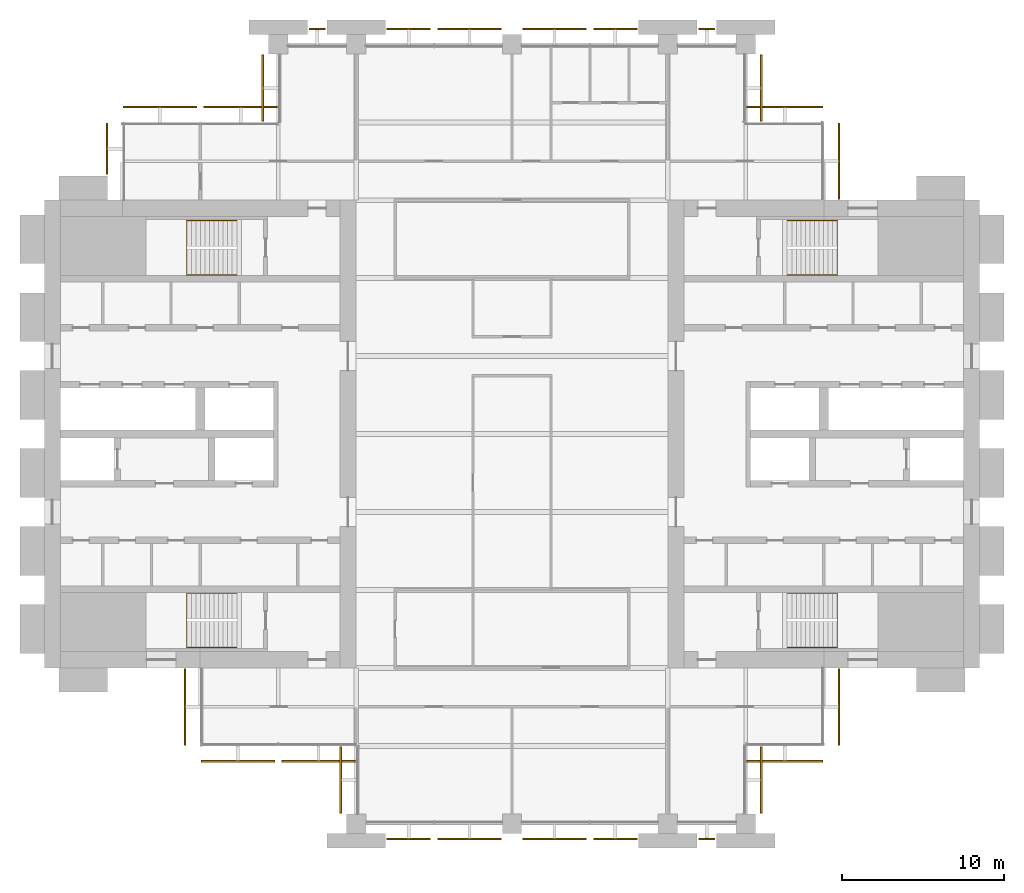
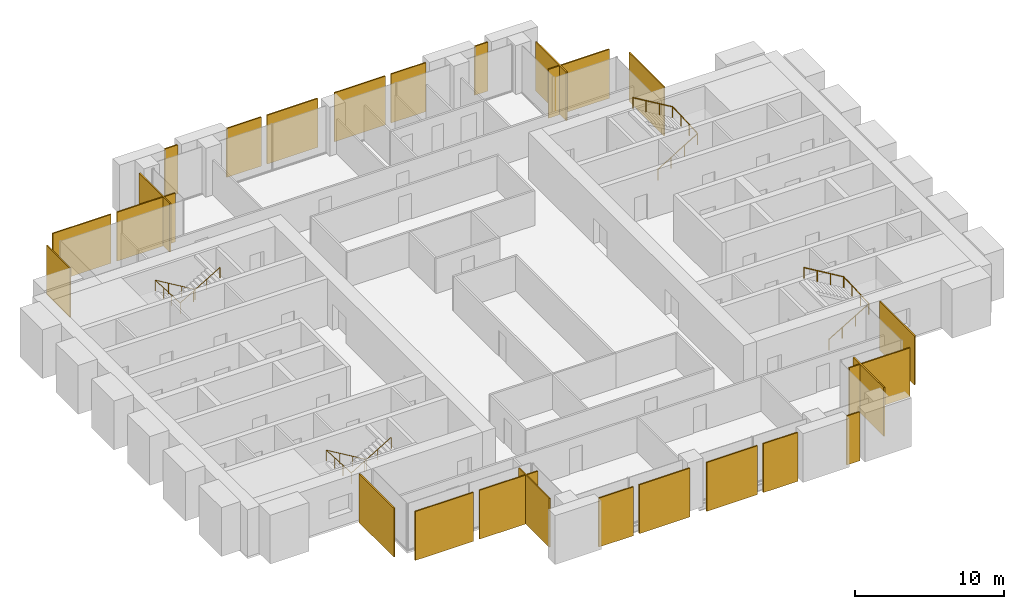
# One storey, part 14 of 14: 25 coverings, 4 railings.
"""IFC4 building model written with IfcOpenShell, lengths in metres."""

from ifc_helpers import new_model, si_unit, direction, frame, origin, origin_2d, place, context, subcontext, project, spatial, polyline, circle, outline, extrude, material, layer, layer_set, type_object, element, save


model = new_model("IFC4")

# Units and contexts
model_context = context("Model", 3, precision=1e-05, world=origin(), true_north=direction((0.0, 1.0)))
body_context = subcontext(model_context, "Body", "Model", "MODEL_VIEW")
ifc_project = project(units=[si_unit("LENGTHUNIT", "METRE"), si_unit("AREAUNIT", "SQUARE_METRE"), si_unit("VOLUMEUNIT", "CUBIC_METRE"), si_unit("PLANEANGLEUNIT", "RADIAN"), si_unit("MASSUNIT", "GRAM", prefix="KILO")], contexts=[model_context])

# Site, building, storey
site_placement = place(None, origin())
site = spatial("IfcSite", under=ifc_project, at=site_placement, CompositionType="ELEMENT")
building_placement = place(site_placement, origin())
building = spatial("IfcBuilding", under=site, at=building_placement, Name="Baori Bourse Tower", CompositionType="ELEMENT")
storey_placement = place(building_placement, frame((0.0, 0.0, 160.10009765625)))
storey = spatial("IfcBuildingStorey", under=building, at=storey_placement, Name="L35", CompositionType="ELEMENT", Elevation=160.10009765625)

# Railings
ifc_material_1 = material(Name="Powder-coated steel balustrade", Category="steel")
railing_type = type_object("IfcRailingType", Name="Core stair handrail", PredefinedType="HANDRAIL", material=ifc_material_1)
railing_1_placement = place(storey_placement, frame((11.85009765625, 14.199951171875, 0.16650390625)))
element("IfcRailing", 1, at=railing_1_placement, inside=storey, type_object=railing_type, Name="L35 ST1 stair handrail 1", PredefinedType="HANDRAIL", context=body_context, shape_type="SweptSolid", body=[
    extrude(circle(Radius=0.02392578125, at=origin_2d()), frame((0.0, 0.0, 0.8759765625), z_axis=(-0.85927862911, 0.0, 0.511507807912), x_axis=(0.0, -1.0, 0.0)), (0.0, 0.0, 1.0), 3.58447265625),
    extrude(circle(Radius=0.02392578125, at=origin_2d()), frame((-3.080078125, 0.0, 2.70947265625), z_axis=(0.0, -0.998766999029, 0.049643545903), x_axis=(1.0, 0.0, 0.0)), (0.0, 0.0, 1.0), 3.35400390625),
    extrude(circle(Radius=0.02392578125, at=origin_2d()), frame((-3.080078125, -3.349853515625, 2.8759765625), z_axis=(0.85927862911, 0.0, 0.511507807912), x_axis=(0.0, 1.0, 0.0)), (0.0, 0.0, 1.0), 3.58447265625),
    extrude(circle(Radius=0.02099609375, at=origin_2d()), origin(), (0.0, 0.0, 1.0), 0.851806640625),
    extrude(circle(Radius=0.02099609375, at=origin_2d()), frame((-1.026611328125, 0.0, 0.611083984375)), (0.0, 0.0, 1.0), 0.851806640625),
    extrude(circle(Radius=0.02099609375, at=origin_2d()), frame((-2.053466796875, 0.0, 1.222412109375)), (0.0, 0.0, 1.0), 0.851806640625),
    extrude(circle(Radius=0.02099609375, at=origin_2d()), frame((-3.080078125, 0.0, 1.83349609375)), (0.0, 0.0, 1.0), 0.851806640625),
    extrude(circle(Radius=0.02099609375, at=origin_2d()), frame((-3.080078125, -1.11669921875, 1.888916015625)), (0.0, 0.0, 1.0), 0.851806640625),
    extrude(circle(Radius=0.02099609375, at=origin_2d()), frame((-3.080078125, -2.233154296875, 1.944580078125)), (0.0, 0.0, 1.0), 0.851806640625),
    extrude(circle(Radius=0.02099609375, at=origin_2d()), frame((-3.080078125, -3.349853515625, 2.0)), (0.0, 0.0, 1.0), 0.851806640625),
    extrude(circle(Radius=0.02099609375, at=origin_2d()), frame((-2.053466796875, -3.349853515625, 2.611083984375)), (0.0, 0.0, 1.0), 0.851806640625),
    extrude(circle(Radius=0.02099609375, at=origin_2d()), frame((-1.026611328125, -3.349853515625, 3.222412109375)), (0.0, 0.0, 1.0), 0.851806640625),
    extrude(circle(Radius=0.02099609375, at=origin_2d()), frame((0.0, -3.349853515625, 3.83349609375)), (0.0, 0.0, 1.0), 0.851806640625),
])
railing_2_placement = place(storey_placement, frame((11.85009765625, 37.14990234375, 0.16650390625)))
element("IfcRailing", 2, at=railing_2_placement, inside=storey, type_object=railing_type, Name="L35 ST2 stair handrail 1", PredefinedType="HANDRAIL", context=body_context, shape_type="SweptSolid", body=[
    extrude(circle(Radius=0.02392578125, at=origin_2d()), frame((0.0, 0.0, 0.8759765625), z_axis=(-0.85927862911, 0.0, 0.511507807912), x_axis=(0.0, -1.0, 0.0)), (0.0, 0.0, 1.0), 3.58447265625),
    extrude(circle(Radius=0.02392578125, at=origin_2d()), frame((-3.080078125, 0.0, 2.70947265625), z_axis=(0.0, -0.998766999029, 0.049643545903), x_axis=(1.0, 0.0, 0.0)), (0.0, 0.0, 1.0), 3.35400390625),
    extrude(circle(Radius=0.02392578125, at=origin_2d()), frame((-3.080078125, -3.349853515625, 2.8759765625), z_axis=(0.85927862911, 0.0, 0.511507807912), x_axis=(0.0, 1.0, 0.0)), (0.0, 0.0, 1.0), 3.58447265625),
    extrude(circle(Radius=0.02099609375, at=origin_2d()), origin(), (0.0, 0.0, 1.0), 0.851806640625),
    extrude(circle(Radius=0.02099609375, at=origin_2d()), frame((-1.026611328125, 0.0, 0.611083984375)), (0.0, 0.0, 1.0), 0.851806640625),
    extrude(circle(Radius=0.02099609375, at=origin_2d()), frame((-2.053466796875, 0.0, 1.222412109375)), (0.0, 0.0, 1.0), 0.851806640625),
    extrude(circle(Radius=0.02099609375, at=origin_2d()), frame((-3.080078125, 0.0, 1.83349609375)), (0.0, 0.0, 1.0), 0.851806640625),
    extrude(circle(Radius=0.02099609375, at=origin_2d()), frame((-3.080078125, -1.11669921875, 1.888916015625)), (0.0, 0.0, 1.0), 0.851806640625),
    extrude(circle(Radius=0.02099609375, at=origin_2d()), frame((-3.080078125, -2.233154296875, 1.944580078125)), (0.0, 0.0, 1.0), 0.851806640625),
    extrude(circle(Radius=0.02099609375, at=origin_2d()), frame((-3.080078125, -3.349853515625, 2.0)), (0.0, 0.0, 1.0), 0.851806640625),
    extrude(circle(Radius=0.02099609375, at=origin_2d()), frame((-2.053466796875, -3.349853515625, 2.611083984375)), (0.0, 0.0, 1.0), 0.851806640625),
    extrude(circle(Radius=0.02099609375, at=origin_2d()), frame((-1.026611328125, -3.349853515625, 3.222412109375)), (0.0, 0.0, 1.0), 0.851806640625),
    extrude(circle(Radius=0.02099609375, at=origin_2d()), frame((0.0, -3.349853515625, 3.83349609375)), (0.0, 0.0, 1.0), 0.851806640625),
])
railing_3_placement = place(storey_placement, frame((45.75, 10.85009765625, 0.16650390625)))
element("IfcRailing", 3, at=railing_3_placement, inside=storey, type_object=railing_type, Name="L35 ST3 stair handrail 1", PredefinedType="HANDRAIL", context=body_context, shape_type="SweptSolid", body=[
    extrude(circle(Radius=0.02392578125, at=origin_2d()), frame((0.0, 0.0, 0.8759765625), z_axis=(0.85927862911, 0.0, 0.511507807912), x_axis=(0.0, 1.0, 0.0)), (0.0, 0.0, 1.0), 3.58447265625),
    extrude(circle(Radius=0.02392578125, at=origin_2d()), frame((3.080078125, 0.0, 2.70947265625), z_axis=(0.0, 0.998766999029, 0.049643545903), x_axis=(-1.0, 0.0, 0.0)), (0.0, 0.0, 1.0), 3.35400390625),
    extrude(circle(Radius=0.02392578125, at=origin_2d()), frame((3.080078125, 3.349853515625, 2.8759765625), z_axis=(-0.85927862911, 0.0, 0.511507807912), x_axis=(0.0, -1.0, 0.0)), (0.0, 0.0, 1.0), 3.58447265625),
    extrude(circle(Radius=0.02099609375, at=origin_2d()), origin(), (0.0, 0.0, 1.0), 0.851806640625),
    extrude(circle(Radius=0.02099609375, at=origin_2d()), frame((1.026611328125, 0.0, 0.611083984375)), (0.0, 0.0, 1.0), 0.851806640625),
    extrude(circle(Radius=0.02099609375, at=origin_2d()), frame((2.053466796875, 0.0, 1.222412109375)), (0.0, 0.0, 1.0), 0.851806640625),
    extrude(circle(Radius=0.02099609375, at=origin_2d()), frame((3.080078125, 0.0, 1.83349609375)), (0.0, 0.0, 1.0), 0.851806640625),
    extrude(circle(Radius=0.02099609375, at=origin_2d()), frame((3.080078125, 1.11669921875, 1.888916015625)), (0.0, 0.0, 1.0), 0.851806640625),
    extrude(circle(Radius=0.02099609375, at=origin_2d()), frame((3.080078125, 2.233154296875, 1.944580078125)), (0.0, 0.0, 1.0), 0.851806640625),
    extrude(circle(Radius=0.02099609375, at=origin_2d()), frame((3.080078125, 3.349853515625, 2.0)), (0.0, 0.0, 1.0), 0.851806640625),
    extrude(circle(Radius=0.02099609375, at=origin_2d()), frame((2.053466796875, 3.349853515625, 2.611083984375)), (0.0, 0.0, 1.0), 0.851806640625),
    extrude(circle(Radius=0.02099609375, at=origin_2d()), frame((1.026611328125, 3.349853515625, 3.222412109375)), (0.0, 0.0, 1.0), 0.851806640625),
    extrude(circle(Radius=0.02099609375, at=origin_2d()), frame((0.0, 3.349853515625, 3.83349609375)), (0.0, 0.0, 1.0), 0.851806640625),
])
railing_4_placement = place(storey_placement, frame((45.75, 33.800048828125, 0.16650390625)))
element("IfcRailing", 4, at=railing_4_placement, inside=storey, type_object=railing_type, Name="L35 ST4 stair handrail 1", PredefinedType="HANDRAIL", context=body_context, shape_type="SweptSolid", body=[
    extrude(circle(Radius=0.02392578125, at=origin_2d()), frame((0.0, 0.0, 0.8759765625), z_axis=(0.85927862911, 0.0, 0.511507807912), x_axis=(0.0, 1.0, 0.0)), (0.0, 0.0, 1.0), 3.58447265625),
    extrude(circle(Radius=0.02392578125, at=origin_2d()), frame((3.080078125, 0.0, 2.70947265625), z_axis=(0.0, 0.998766999029, 0.049643545903), x_axis=(-1.0, 0.0, 0.0)), (0.0, 0.0, 1.0), 3.35400390625),
    extrude(circle(Radius=0.02392578125, at=origin_2d()), frame((3.080078125, 3.349853515625, 2.8759765625), z_axis=(-0.85927862911, 0.0, 0.511507807912), x_axis=(0.0, -1.0, 0.0)), (0.0, 0.0, 1.0), 3.58447265625),
    extrude(circle(Radius=0.02099609375, at=origin_2d()), origin(), (0.0, 0.0, 1.0), 0.851806640625),
    extrude(circle(Radius=0.02099609375, at=origin_2d()), frame((1.026611328125, 0.0, 0.611083984375)), (0.0, 0.0, 1.0), 0.851806640625),
    extrude(circle(Radius=0.02099609375, at=origin_2d()), frame((2.053466796875, 0.0, 1.222412109375)), (0.0, 0.0, 1.0), 0.851806640625),
    extrude(circle(Radius=0.02099609375, at=origin_2d()), frame((3.080078125, 0.0, 1.83349609375)), (0.0, 0.0, 1.0), 0.851806640625),
    extrude(circle(Radius=0.02099609375, at=origin_2d()), frame((3.080078125, 1.11669921875, 1.888916015625)), (0.0, 0.0, 1.0), 0.851806640625),
    extrude(circle(Radius=0.02099609375, at=origin_2d()), frame((3.080078125, 2.233154296875, 1.944580078125)), (0.0, 0.0, 1.0), 0.851806640625),
    extrude(circle(Radius=0.02099609375, at=origin_2d()), frame((3.080078125, 3.349853515625, 2.0)), (0.0, 0.0, 1.0), 0.851806640625),
    extrude(circle(Radius=0.02099609375, at=origin_2d()), frame((2.053466796875, 3.349853515625, 2.611083984375)), (0.0, 0.0, 1.0), 0.851806640625),
    extrude(circle(Radius=0.02099609375, at=origin_2d()), frame((1.026611328125, 3.349853515625, 3.222412109375)), (0.0, 0.0, 1.0), 0.851806640625),
    extrude(circle(Radius=0.02099609375, at=origin_2d()), frame((0.0, 3.349853515625, 3.83349609375)), (0.0, 0.0, 1.0), 0.851806640625),
])

# Coverings
ifc_material_2 = material(Name="Pale anodised aluminium", Category="aluminium")
ifc_layer = layer(ifc_material_2, 0.10009765625)
ifc_layer_set = layer_set([ifc_layer], Name="OS3 Outer skin screen panel")
covering_type = type_object("IfcCoveringType", Name="OS3 Outer skin screen panel", PredefinedType="CLADDING", material=ifc_layer_set)
covering_1_placement = place(storey_placement, frame((0.0, 0.0, -0.16015625)))
element("IfcCovering", 5, at=covering_1_placement, inside=storey, type_object=covering_type, Name="Outer skin screen L35 1", PredefinedType="CLADDING", context=body_context, shape_type="SweptSolid", body=[
    extrude(outline(polyline([(48.89990234375, 43.14990234375), (48.89990234375, 38.449951171875), (49.0, 38.449951171875), (49.0, 43.14990234375), (48.89990234375, 43.14990234375)])), origin(), (0.0, 0.0, 1.0), 4.0),
])
covering_2_placement = place(storey_placement, frame((0.0, 0.0, -0.16015625)))
element("IfcCovering", 6, at=covering_2_placement, inside=storey, type_object=covering_type, Name="Outer skin screen L35 2", PredefinedType="CLADDING", context=body_context, shape_type="SweptSolid", body=[
    extrude(outline(polyline([(43.25, 44.10009765625), (47.949951171875, 44.10009765625), (47.949951171875, 44.199951171875), (43.25, 44.199951171875), (43.25, 44.10009765625)])), origin(), (0.0, 0.0, 1.0), 4.0),
])
covering_3_placement = place(storey_placement, frame((0.0, 0.0, -0.16015625)))
element("IfcCovering", 7, at=covering_3_placement, inside=storey, type_object=covering_type, Name="Outer skin screen L35 3", PredefinedType="CLADDING", context=body_context, shape_type="SweptSolid", body=[
    extrude(outline(polyline([(44.10009765625, 47.35009765625), (44.10009765625, 43.25), (44.199951171875, 43.25), (44.199951171875, 47.35009765625), (44.10009765625, 47.35009765625)])), origin(), (0.0, 0.0, 1.0), 4.0),
])
covering_4_placement = place(storey_placement, frame((0.0, 0.0, -0.16015625)))
element("IfcCovering", 8, at=covering_4_placement, inside=storey, type_object=covering_type, Name="Outer skin screen L35 4", PredefinedType="CLADDING", context=body_context, shape_type="SweptSolid", body=[
    extrude(outline(polyline([(40.300048828125, 48.89990234375), (41.300048828125, 48.89990234375), (41.300048828125, 49.0), (40.300048828125, 49.0), (40.300048828125, 48.89990234375)])), origin(), (0.0, 0.0, 1.0), 4.0),
])
covering_5_placement = place(storey_placement, frame((0.0, 0.0, -0.16015625)))
element("IfcCovering", 9, at=covering_5_placement, inside=storey, type_object=covering_type, Name="Outer skin screen L35 5", PredefinedType="CLADDING", context=body_context, shape_type="SweptSolid", body=[
    extrude(outline(polyline([(33.824951171875, 48.89990234375), (36.5, 48.89990234375), (36.5, 49.0), (33.824951171875, 49.0), (33.824951171875, 48.89990234375)])), origin(), (0.0, 0.0, 1.0), 4.0),
])
covering_6_placement = place(storey_placement, frame((0.0, 0.0, -0.16015625)))
element("IfcCovering", 10, at=covering_6_placement, inside=storey, type_object=covering_type, Name="Outer skin screen L35 6", PredefinedType="CLADDING", context=body_context, shape_type="SweptSolid", body=[
    extrude(outline(polyline([(29.449951171875, 48.89990234375), (33.375, 48.89990234375), (33.375, 49.0), (29.449951171875, 49.0), (29.449951171875, 48.89990234375)])), origin(), (0.0, 0.0, 1.0), 4.0),
])
covering_7_placement = place(storey_placement, frame((0.0, 0.0, -0.16015625)))
element("IfcCovering", 11, at=covering_7_placement, inside=storey, type_object=covering_type, Name="Outer skin screen L35 7", PredefinedType="CLADDING", context=body_context, shape_type="SweptSolid", body=[
    extrude(outline(polyline([(24.22509765625, 48.89990234375), (28.14990234375, 48.89990234375), (28.14990234375, 49.0), (24.22509765625, 49.0), (24.22509765625, 48.89990234375)])), origin(), (0.0, 0.0, 1.0), 4.0),
])
covering_8_placement = place(storey_placement, frame((0.0, 0.0, -0.16015625)))
element("IfcCovering", 12, at=covering_8_placement, inside=storey, type_object=covering_type, Name="Outer skin screen L35 8", PredefinedType="CLADDING", context=body_context, shape_type="SweptSolid", body=[
    extrude(outline(polyline([(21.10009765625, 48.89990234375), (23.77490234375, 48.89990234375), (23.77490234375, 49.0), (21.10009765625, 49.0), (21.10009765625, 48.89990234375)])), origin(), (0.0, 0.0, 1.0), 4.0),
])
covering_9_placement = place(storey_placement, frame((0.0, 0.0, -0.16015625)))
element("IfcCovering", 13, at=covering_9_placement, inside=storey, type_object=covering_type, Name="Outer skin screen L35 9", PredefinedType="CLADDING", context=body_context, shape_type="SweptSolid", body=[
    extrude(outline(polyline([(16.300048828125, 48.89990234375), (17.300048828125, 48.89990234375), (17.300048828125, 49.0), (16.300048828125, 49.0), (16.300048828125, 48.89990234375)])), origin(), (0.0, 0.0, 1.0), 4.0),
])
covering_10_placement = place(storey_placement, frame((0.0, 0.0, -0.16015625)))
element("IfcCovering", 14, at=covering_10_placement, inside=storey, type_object=covering_type, Name="Outer skin screen L35 10", PredefinedType="CLADDING", context=body_context, shape_type="SweptSolid", body=[
    extrude(outline(polyline([(13.5, 43.25), (13.5, 47.35009765625), (13.39990234375, 47.35009765625), (13.39990234375, 43.25), (13.5, 43.25)])), origin(), (0.0, 0.0, 1.0), 4.0),
])
covering_11_placement = place(storey_placement, frame((0.0, 0.0, -0.16015625)))
element("IfcCovering", 15, at=covering_11_placement, inside=storey, type_object=covering_type, Name="Outer skin screen L35 11", PredefinedType="CLADDING", context=body_context, shape_type="SweptSolid", body=[
    extrude(outline(polyline([(9.824951171875, 44.10009765625), (14.35009765625, 44.10009765625), (14.35009765625, 44.199951171875), (9.824951171875, 44.199951171875), (9.824951171875, 44.10009765625)])), origin(), (0.0, 0.0, 1.0), 4.0),
])
covering_12_placement = place(storey_placement, frame((0.0, 0.0, -0.16015625)))
element("IfcCovering", 16, at=covering_12_placement, inside=storey, type_object=covering_type, Name="Outer skin screen L35 12", PredefinedType="CLADDING", context=body_context, shape_type="SweptSolid", body=[
    extrude(outline(polyline([(4.85009765625, 44.10009765625), (9.375, 44.10009765625), (9.375, 44.199951171875), (4.85009765625, 44.199951171875), (4.85009765625, 44.10009765625)])), origin(), (0.0, 0.0, 1.0), 4.0),
])
covering_13_placement = place(storey_placement, frame((0.0, 0.0, -0.16015625)))
element("IfcCovering", 17, at=covering_13_placement, inside=storey, type_object=covering_type, Name="Outer skin screen L35 13", PredefinedType="CLADDING", context=body_context, shape_type="SweptSolid", body=[
    extrude(outline(polyline([(3.89990234375, 40.0), (3.89990234375, 43.14990234375), (3.800048828125, 43.14990234375), (3.800048828125, 40.0), (3.89990234375, 40.0), (3.89990234375, 40.0)])), origin(), (0.0, 0.0, 1.0), 4.0),
])
covering_14_placement = place(storey_placement, frame((0.0, 0.0, -0.16015625)))
element("IfcCovering", 18, at=covering_14_placement, inside=storey, type_object=covering_type, Name="Outer skin screen L35 14", PredefinedType="CLADDING", context=body_context, shape_type="SweptSolid", body=[
    extrude(outline(polyline([(8.699951171875, 4.85009765625), (8.699951171875, 9.550048828125), (8.60009765625, 9.550048828125), (8.60009765625, 4.85009765625), (8.699951171875, 4.85009765625)])), origin(), (0.0, 0.0, 1.0), 4.0),
])
covering_15_placement = place(storey_placement, frame((0.0, 0.0, -0.16015625)))
element("IfcCovering", 19, at=covering_15_placement, inside=storey, type_object=covering_type, Name="Outer skin screen L35 15", PredefinedType="CLADDING", context=body_context, shape_type="SweptSolid", body=[
    extrude(outline(polyline([(14.175048828125, 3.89990234375), (9.64990234375, 3.89990234375), (9.64990234375, 3.800048828125), (14.175048828125, 3.800048828125), (14.175048828125, 3.89990234375)])), origin(), (0.0, 0.0, 1.0), 4.0),
])
covering_16_placement = place(storey_placement, frame((0.0, 0.0, -0.16015625)))
element("IfcCovering", 20, at=covering_16_placement, inside=storey, type_object=covering_type, Name="Outer skin screen L35 16", PredefinedType="CLADDING", context=body_context, shape_type="SweptSolid", body=[
    extrude(outline(polyline([(19.14990234375, 3.89990234375), (14.625, 3.89990234375), (14.625, 3.800048828125), (19.14990234375, 3.800048828125), (19.14990234375, 3.89990234375)])), origin(), (0.0, 0.0, 1.0), 4.0),
])
covering_17_placement = place(storey_placement, frame((0.0, 0.0, -0.16015625)))
element("IfcCovering", 21, at=covering_17_placement, inside=storey, type_object=covering_type, Name="Outer skin screen L35 17", PredefinedType="CLADDING", context=body_context, shape_type="SweptSolid", body=[
    extrude(outline(polyline([(18.300048828125, 0.64990234375), (18.300048828125, 4.75), (18.199951171875, 4.75), (18.199951171875, 0.64990234375), (18.300048828125, 0.64990234375)])), origin(), (0.0, 0.0, 1.0), 4.0),
])
covering_18_placement = place(storey_placement, frame((0.0, 0.0, -0.16015625)))
element("IfcCovering", 22, at=covering_18_placement, inside=storey, type_object=covering_type, Name="Outer skin screen L35 18", PredefinedType="CLADDING", context=body_context, shape_type="SweptSolid", body=[
    extrude(outline(polyline([(23.77490234375, -0.89990234375), (21.10009765625, -0.89990234375), (21.10009765625, -1.0), (23.77490234375, -1.0), (23.77490234375, -0.89990234375)])), origin(), (0.0, 0.0, 1.0), 4.0),
])
covering_19_placement = place(storey_placement, frame((0.0, 0.0, -0.16015625)))
element("IfcCovering", 23, at=covering_19_placement, inside=storey, type_object=covering_type, Name="Outer skin screen L35 19", PredefinedType="CLADDING", context=body_context, shape_type="SweptSolid", body=[
    extrude(outline(polyline([(28.14990234375, -0.89990234375), (24.22509765625, -0.89990234375), (24.22509765625, -1.0), (28.14990234375, -1.0), (28.14990234375, -0.89990234375)])), origin(), (0.0, 0.0, 1.0), 4.0),
])
covering_20_placement = place(storey_placement, frame((0.0, 0.0, -0.16015625)))
element("IfcCovering", 24, at=covering_20_placement, inside=storey, type_object=covering_type, Name="Outer skin screen L35 20", PredefinedType="CLADDING", context=body_context, shape_type="SweptSolid", body=[
    extrude(outline(polyline([(33.375, -0.89990234375), (29.449951171875, -0.89990234375), (29.449951171875, -1.0), (33.375, -1.0), (33.375, -0.89990234375)])), origin(), (0.0, 0.0, 1.0), 4.0),
])
covering_21_placement = place(storey_placement, frame((0.0, 0.0, -0.16015625)))
element("IfcCovering", 25, at=covering_21_placement, inside=storey, type_object=covering_type, Name="Outer skin screen L35 21", PredefinedType="CLADDING", context=body_context, shape_type="SweptSolid", body=[
    extrude(outline(polyline([(36.5, -0.89990234375), (33.824951171875, -0.89990234375), (33.824951171875, -1.0), (36.5, -1.0), (36.5, -0.89990234375)])), origin(), (0.0, 0.0, 1.0), 4.0),
])
covering_22_placement = place(storey_placement, frame((0.0, 0.0, -0.16015625)))
element("IfcCovering", 26, at=covering_22_placement, inside=storey, type_object=covering_type, Name="Outer skin screen L35 22", PredefinedType="CLADDING", context=body_context, shape_type="SweptSolid", body=[
    extrude(outline(polyline([(41.300048828125, -0.89990234375), (40.300048828125, -0.89990234375), (40.300048828125, -1.0), (41.300048828125, -1.0), (41.300048828125, -0.89990234375)])), origin(), (0.0, 0.0, 1.0), 4.0),
])
covering_23_placement = place(storey_placement, frame((0.0, 0.0, -0.16015625)))
element("IfcCovering", 27, at=covering_23_placement, inside=storey, type_object=covering_type, Name="Outer skin screen L35 23", PredefinedType="CLADDING", context=body_context, shape_type="SweptSolid", body=[
    extrude(outline(polyline([(44.10009765625, 4.75), (44.10009765625, 0.64990234375), (44.199951171875, 0.64990234375), (44.199951171875, 4.75), (44.10009765625, 4.75)])), origin(), (0.0, 0.0, 1.0), 4.0),
])
covering_24_placement = place(storey_placement, frame((0.0, 0.0, -0.16015625)))
element("IfcCovering", 28, at=covering_24_placement, inside=storey, type_object=covering_type, Name="Outer skin screen L35 24", PredefinedType="CLADDING", context=body_context, shape_type="SweptSolid", body=[
    extrude(outline(polyline([(47.949951171875, 3.89990234375), (43.25, 3.89990234375), (43.25, 3.800048828125), (47.949951171875, 3.800048828125), (47.949951171875, 3.89990234375)])), origin(), (0.0, 0.0, 1.0), 4.0),
])
covering_25_placement = place(storey_placement, frame((0.0, 0.0, -0.16015625)))
element("IfcCovering", 29, at=covering_25_placement, inside=storey, type_object=covering_type, Name="Outer skin screen L35 25", PredefinedType="CLADDING", context=body_context, shape_type="SweptSolid", body=[
    extrude(outline(polyline([(48.89990234375, 9.550048828125), (48.89990234375, 4.85009765625), (49.0, 4.85009765625), (49.0, 9.550048828125), (48.89990234375, 9.550048828125)])), origin(), (0.0, 0.0, 1.0), 4.0),
])

save(model, "model.ifc")
